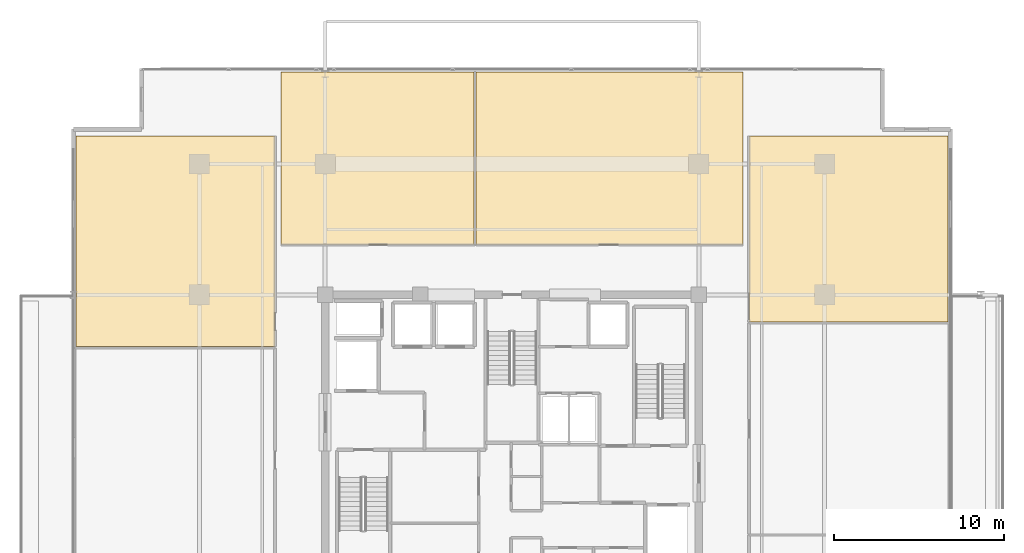
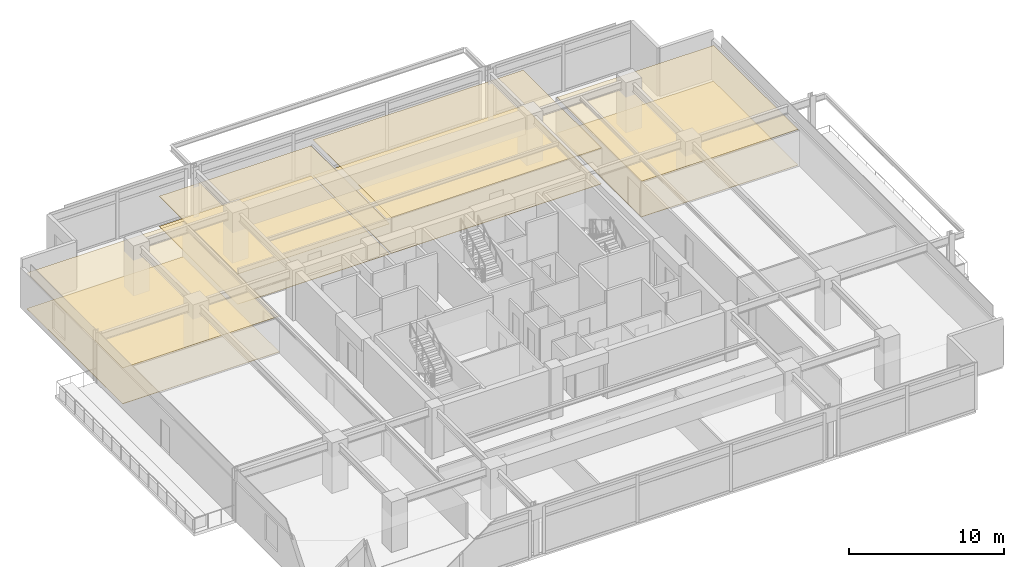
# One storey, part 20 of 20: 8 coverings.
"""IFC4 building model written with IfcOpenShell, lengths in metres."""

import ifcopenshell
import ifcopenshell.guid

model = None  # the IFC model being written
_history = None  # IfcOwnerHistory: only IFC2X3 demands one
_inside = {}  # id of a spatial element -> (the spatial element, [elements in it])
_under = {}  # id of a project, library or spatial element -> (it, [spatial elements below it])
_declared = {}  # id of a project -> (the project, [libraries it declares])
_typed = {}  # id of a type object -> (the type object, [elements of that type])
_made_of = {}  # id of a material, layer set ... -> (it, [elements and type objects made of it])


def new_model(schema):
    """Start an empty IFC model of exactly this schema.

    Asked for "IFC4X3", IfcOpenShell would pick the latest addendum, in which some entities
    have other attributes; the version numbers below select the first issue.
    IFC2X3 requires an IfcOwnerHistory on every rooted entity: one is made here for all.
    """
    global model, _history
    if schema == "IFC4X3":
        model = ifcopenshell.file(schema_version=(4, 3, 0, 0))
    else:
        model = ifcopenshell.file(schema=schema)
    _inside.clear()
    _under.clear()
    _declared.clear()
    _typed.clear()
    _made_of.clear()
    _history = None
    if model.schema == "IFC2X3":
        org = make("IfcOrganization", Name="unknown")
        user = make(
            "IfcPersonAndOrganization",
            ThePerson=make("IfcPerson", FamilyName="unknown"),
            TheOrganization=org,
        )
        app = make(
            "IfcApplication",
            ApplicationDeveloper=org,
            Version="unknown",
            ApplicationFullName="unknown",
            ApplicationIdentifier="unknown",
        )
        _history = make(
            "IfcOwnerHistory",
            OwningUser=user,
            OwningApplication=app,
            ChangeAction="ADDED",
            CreationDate=0,
        )
    return model


def make(cls, **values):
    """One entity of the class cls with the attributes given. An attribute that is None is left unset."""
    return model.create_entity(
        cls, **{name: value for name, value in values.items() if value is not None}
    )


def rooted(cls, **values):
    """An entity with a GlobalId (a new one), such as an element, a storey or a relation."""
    return make(cls, GlobalId=ifcopenshell.guid.new(), OwnerHistory=_history, **values)


def si_unit(unit_type, name, prefix=None):
    """IfcSIUnit, for example si_unit("LENGTHUNIT", "METRE", prefix="MILLI")."""
    return make("IfcSIUnit", UnitType=unit_type, Prefix=prefix, Name=name)


def assignment(units):
    """IfcUnitAssignment: the units of a project."""
    return None if units is None else make("IfcUnitAssignment", Units=units)


def point(xyz):
    """IfcCartesianPoint."""
    return None if xyz is None else make("IfcCartesianPoint", Coordinates=xyz)


def direction(xyz):
    """IfcDirection."""
    return None if xyz is None else make("IfcDirection", DirectionRatios=xyz)


def frame(location, z_axis=None, x_axis=None):
    """IfcAxis2Placement3D, a coordinate frame: its origin and axes. An axis left out is left unset."""
    return make(
        "IfcAxis2Placement3D",
        Location=point(location),
        Axis=direction(z_axis),
        RefDirection=direction(x_axis),
    )


def origin():
    """The frame at (0, 0, 0) with its axes left unset."""
    return frame((0.0, 0.0, 0.0))


def place(relative_to, where):
    """IfcLocalPlacement: puts the frame where relative to a parent placement (None: the world)."""
    return make(
        "IfcLocalPlacement", PlacementRelTo=relative_to, RelativePlacement=where
    )


def context(
    kind, dimensions, precision=None, world=None, true_north=None, identifier=None
):
    """IfcGeometricRepresentationContext, for example the 3D "Model" context."""
    return make(
        "IfcGeometricRepresentationContext",
        ContextIdentifier=identifier,
        ContextType=kind,
        CoordinateSpaceDimension=dimensions,
        Precision=precision,
        WorldCoordinateSystem=world,
        TrueNorth=true_north,
    )


def subcontext(parent, identifier, kind, view, scale=None):
    """IfcGeometricRepresentationSubContext, for example "Body" below "Model"."""
    return make(
        "IfcGeometricRepresentationSubContext",
        ContextIdentifier=identifier,
        ContextType=kind,
        ParentContext=parent,
        TargetScale=scale,
        TargetView=view,
    )


def project(units=None, contexts=None):
    """IfcProject with its units and contexts."""
    return rooted(
        "IfcProject",
        Name="project",
        RepresentationContexts=contexts,
        UnitsInContext=assignment(units),
    )


def spatial(cls, under=None, at=None, **own):
    """A site, building, storey or space (cls), placed at a placement, below another one or the project."""
    s = rooted(cls, ObjectPlacement=at, **own)
    if under is not None:
        _under.setdefault(under.id(), (under, []))[1].append(s)
    return s


def polyline(points):
    """IfcPolyline through the points."""
    return make("IfcPolyline", Points=[point(p) for p in points])


def outline(outer, holes=None, kind="AREA"):
    """IfcArbitraryClosedProfileDef: a profile drawn as a closed curve; with holes, ...WithVoids."""
    if holes is None:
        return make("IfcArbitraryClosedProfileDef", ProfileType=kind, OuterCurve=outer)
    return make(
        "IfcArbitraryProfileDefWithVoids",
        ProfileType=kind,
        OuterCurve=outer,
        InnerCurves=holes,
    )


def extrude(swept, where, along, depth):
    """IfcExtrudedAreaSolid: the profile swept, set in the frame where, extruded along a direction by depth."""
    return make(
        "IfcExtrudedAreaSolid",
        SweptArea=swept,
        Position=where,
        ExtrudedDirection=direction(along),
        Depth=depth,
    )


def shape(context_of_items, identifier, shape_type, items):
    """IfcShapeRepresentation: the items that make up one representation, for example the "Body"."""
    return make(
        "IfcShapeRepresentation",
        ContextOfItems=context_of_items,
        RepresentationIdentifier=identifier,
        RepresentationType=shape_type,
        Items=items,
    )


def material(Name=None, Category=None):
    """IfcMaterial."""
    return make("IfcMaterial", Name=Name, Category=Category)


def layer(
    of_material, thickness, ventilated=None, Name=None, Category=None, Priority=None
):
    """IfcMaterialLayer: one layer of a wall or slab, of a material (None: an air gap)."""
    return make(
        "IfcMaterialLayer",
        Material=of_material,
        LayerThickness=thickness,
        IsVentilated=ventilated,
        Name=Name,
        Category=Category,
        Priority=Priority,
    )


def layer_set(layers, Name=None):
    """IfcMaterialLayerSet."""
    return make("IfcMaterialLayerSet", MaterialLayers=layers, LayerSetName=Name)


def made_of(thing, what):
    """Note that an element or type object is made of a material, layer set ...; save() writes the relation."""
    if what is not None:
        _made_of.setdefault(what.id(), (what, []))[1].append(thing)
    return thing


def type_object(cls, material=None, **own):
    """A type object (cls), such as IfcWallType, which elements share."""
    return made_of(rooted(cls, **own), material)


def element(
    cls,
    number,
    at=None,
    inside=None,
    cuts=None,
    type_object=None,
    material=None,
    context=None,
    identifier="Body",
    shape_type=None,
    held_by="IfcProductDefinitionShape",
    body=None,
    shapes=None,
    **own,
):
    """One element of the class cls, such as IfcWall. Its Tag is "e" and its number.

    at: its placement. inside: the storey or other place that contains it. cuts: it is an
    opening in that element (IfcRelVoidsElement). A single representation is given by context,
    identifier, shape_type and body (its items); several are given by shapes. held_by: the class
    of the entity that holds the representations. save() writes the other relations.
    """
    e = rooted(cls, Tag="e%d" % number, ObjectPlacement=at, **own)
    if body is not None:
        shapes = [shape(context, identifier, shape_type, body)]
    if shapes is not None:
        e.Representation = make(held_by, Representations=shapes)
    if inside is not None:
        _inside.setdefault(inside.id(), (inside, []))[1].append(e)
    if cuts is not None:
        rooted(
            "IfcRelVoidsElement", RelatingBuildingElement=cuts, RelatedOpeningElement=e
        )
    if type_object is not None:
        _typed.setdefault(type_object.id(), (type_object, []))[1].append(e)
    return made_of(e, material)


def aggregate(whole, parts):
    """IfcRelAggregates: a whole, such as a stair, and the parts it consists of."""
    return rooted("IfcRelAggregates", RelatingObject=whole, RelatedObjects=parts)


def save(model, path):
    """Write the relations noted so far, then the file.

    IfcRelAggregates (storeys below a building ...), IfcRelContainedInSpatialStructure (elements
    in a storey), IfcRelDefinesByType, IfcRelAssociatesMaterial and IfcRelDeclares: one each for
    every whole, place, type object, material and project.
    """
    for whole, parts in _under.values():
        aggregate(whole, parts)
    for where, things in _inside.values():
        rooted(
            "IfcRelContainedInSpatialStructure",
            RelatedElements=things,
            RelatingStructure=where,
        )
    for kind, things in _typed.values():
        rooted("IfcRelDefinesByType", RelatedObjects=things, RelatingType=kind)
    for what, things in _made_of.values():
        rooted("IfcRelAssociatesMaterial", RelatedObjects=things, RelatingMaterial=what)
    for by, libraries in _declared.values():
        rooted("IfcRelDeclares", RelatingContext=by, RelatedDefinitions=libraries)
    model.write(path)


model = new_model("IFC4")

# Units and contexts
model_context = context("Model", 3, precision=1e-05, world=origin(), true_north=direction((0.0, 1.0)))
body_context = subcontext(model_context, "Body", "Model", "MODEL_VIEW")
ifc_project = project(units=[si_unit("LENGTHUNIT", "METRE"), si_unit("AREAUNIT", "SQUARE_METRE"), si_unit("VOLUMEUNIT", "CUBIC_METRE"), si_unit("PLANEANGLEUNIT", "RADIAN"), si_unit("MASSUNIT", "GRAM", prefix="KILO")], contexts=[model_context])

# Site, building, storey
site_placement = place(None, origin())
site = spatial("IfcSite", under=ifc_project, at=site_placement, CompositionType="ELEMENT")
building_placement = place(site_placement, origin())
building = spatial("IfcBuilding", under=site, at=building_placement, Name="Kovane Verandah Tower", CompositionType="ELEMENT")
storey_placement = place(building_placement, frame((0.0, 0.0, 279.199951171875)))
storey = spatial("IfcBuildingStorey", under=building, at=storey_placement, Name="L65", CompositionType="ELEMENT", Elevation=279.199951171875)

# Coverings
ifc_material_1 = material(Name="Perforated Acoustic Mineral-Fibre Ceiling Tile", Category="gypsum")
ifc_layer_1 = layer(ifc_material_1, 0.02490234375)
ifc_layer_set_1 = layer_set([ifc_layer_1], Name="Perforated Acoustic Mineral-Fibre Ceiling Tile")
covering_type_1 = type_object("IfcCoveringType", Name="CV-CEIL-25", PredefinedType="CEILING", material=ifc_layer_set_1)
covering_1_placement = place(storey_placement, frame((0.0, 0.0, 2.39013671875)))
element("IfcCovering", 1, at=covering_1_placement, inside=storey, type_object=covering_type_1, Name="L65 Open Plan Office N1 Acoustic Ceiling", PredefinedType="CEILING", context=body_context, shape_type="SweptSolid", body=[
    extrude(outline(polyline([(26.39990234375, 39.449951171875), (37.75390625, 39.449951171875), (37.75390625, 49.606201171875), (26.39990234375, 49.606201171875), (26.39990234375, 39.449951171875)])), origin(), (0.0, 0.0, 1.0), 0.02490234375),
])
covering_2_placement = place(storey_placement, frame((0.0, 0.0, 2.824951171875)))
element("IfcCovering", 2, at=covering_2_placement, inside=storey, type_object=covering_type_1, Name="L65 Executive Office N2 Acoustic Ceiling", PredefinedType="CEILING", context=body_context, shape_type="SweptSolid", body=[
    extrude(outline(polyline([(37.89404296875, 39.449951171875), (53.60009765625, 39.449951171875), (53.60009765625, 49.606201171875), (37.89404296875, 49.606201171875), (37.89404296875, 39.449951171875)])), origin(), (0.0, 0.0, 1.0), 0.025146484375),
])
covering_3_placement = place(storey_placement, frame((0.0, 0.0, 2.824951171875)))
element("IfcCovering", 3, at=covering_3_placement, inside=storey, type_object=covering_type_1, Name="L65 Document and Print Room W3 Acoustic Ceiling", PredefinedType="CEILING", context=body_context, shape_type="SweptSolid", body=[
    extrude(outline(polyline([(14.34033203125, 33.444091796875), (26.050048828125, 33.444091796875), (26.050048828125, 45.856201171875), (14.34033203125, 45.856201171875), (14.34033203125, 33.444091796875)])), origin(), (0.0, 0.0, 1.0), 0.025146484375),
])
covering_4_placement = place(storey_placement, frame((0.0, 0.0, 2.824951171875)))
element("IfcCovering", 4, at=covering_4_placement, inside=storey, type_object=covering_type_1, Name="L65 Client Boardroom E3 Acoustic Ceiling", PredefinedType="CEILING", context=body_context, shape_type="SweptSolid", body=[
    extrude(outline(polyline([(53.949951171875, 34.91259765625), (65.65966796875, 34.91259765625), (65.65966796875, 45.856201171875), (53.949951171875, 45.856201171875), (53.949951171875, 34.91259765625)])), origin(), (0.0, 0.0, 1.0), 0.025146484375),
])
ifc_material_2 = material(Name="Polished Terrazzo and Raised-Access Carpet Tile Finish", Category="concrete")
ifc_layer_2 = layer(ifc_material_2, 0.030029296875)
ifc_layer_set_2 = layer_set([ifc_layer_2], Name="Polished Terrazzo and Raised-Access Carpet Tile Finish")
covering_type_2 = type_object("IfcCoveringType", Name="CV-FLOR-30", PredefinedType="FLOORING", material=ifc_layer_set_2)
covering_5_placement = place(storey_placement, origin())
element("IfcCovering", 5, at=covering_5_placement, inside=storey, type_object=covering_type_2, Name="L65 Open Plan Office N1 Floor Finish", PredefinedType="FLOORING", context=body_context, shape_type="SweptSolid", body=[
    extrude(outline(polyline([(26.39990234375, 39.449951171875), (37.75390625, 39.449951171875), (37.75390625, 49.606201171875), (26.39990234375, 49.606201171875), (26.39990234375, 39.449951171875)])), origin(), (0.0, 0.0, 1.0), 0.030029296875),
])
covering_6_placement = place(storey_placement, origin())
element("IfcCovering", 6, at=covering_6_placement, inside=storey, type_object=covering_type_2, Name="L65 Executive Office N2 Floor Finish", PredefinedType="FLOORING", context=body_context, shape_type="SweptSolid", body=[
    extrude(outline(polyline([(37.89404296875, 39.449951171875), (53.60009765625, 39.449951171875), (53.60009765625, 49.606201171875), (37.89404296875, 49.606201171875), (37.89404296875, 39.449951171875)])), origin(), (0.0, 0.0, 1.0), 0.030029296875),
])
covering_7_placement = place(storey_placement, origin())
element("IfcCovering", 7, at=covering_7_placement, inside=storey, type_object=covering_type_2, Name="L65 Document and Print Room W3 Floor Finish", PredefinedType="FLOORING", context=body_context, shape_type="SweptSolid", body=[
    extrude(outline(polyline([(14.34033203125, 33.444091796875), (26.050048828125, 33.444091796875), (26.050048828125, 45.856201171875), (14.34033203125, 45.856201171875), (14.34033203125, 33.444091796875)])), origin(), (0.0, 0.0, 1.0), 0.030029296875),
])
covering_8_placement = place(storey_placement, origin())
element("IfcCovering", 8, at=covering_8_placement, inside=storey, type_object=covering_type_2, Name="L65 Client Boardroom E3 Floor Finish", PredefinedType="FLOORING", context=body_context, shape_type="SweptSolid", body=[
    extrude(outline(polyline([(53.949951171875, 34.91259765625), (65.65966796875, 34.91259765625), (65.65966796875, 45.856201171875), (53.949951171875, 45.856201171875), (53.949951171875, 34.91259765625)])), origin(), (0.0, 0.0, 1.0), 0.030029296875),
])

save(model, "model.ifc")
